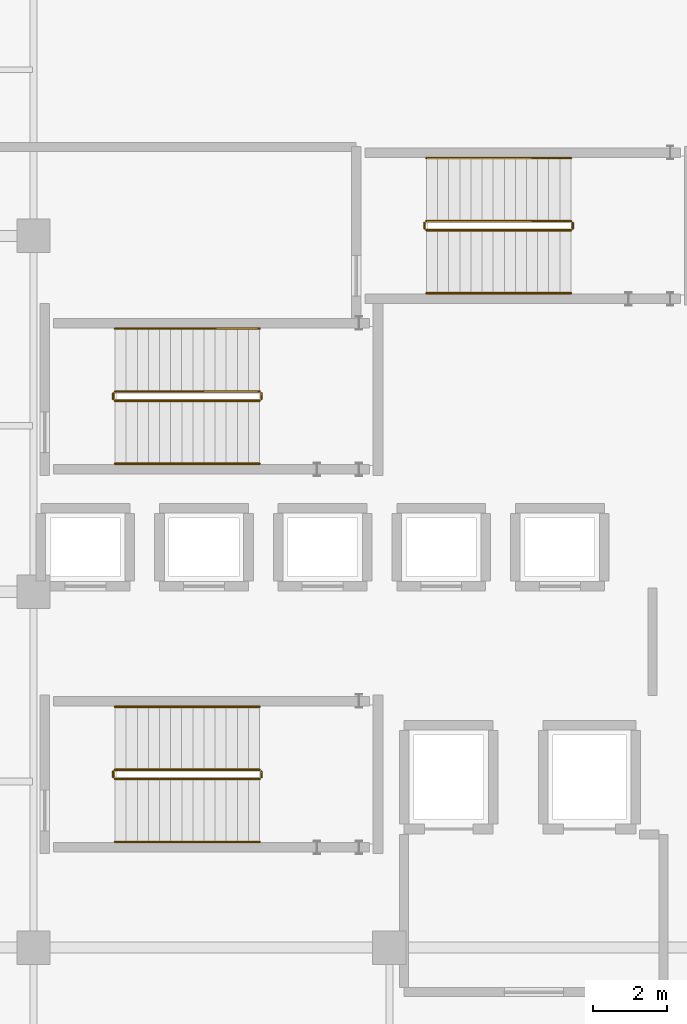
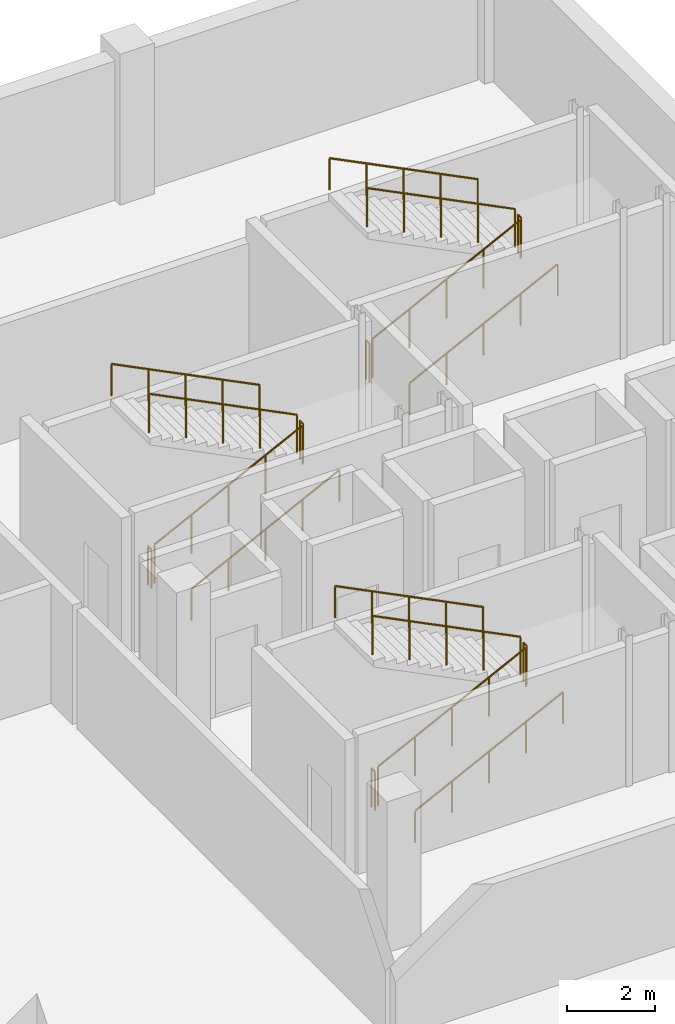
# One storey, part 47 of 47: 18 railings.
"""IFC4 building model written with IfcOpenShell, lengths in metres."""

import ifcopenshell
import ifcopenshell.guid

model = None  # the IFC model being written
_history = None  # IfcOwnerHistory: only IFC2X3 demands one
_inside = {}  # id of a spatial element -> (the spatial element, [elements in it])
_under = {}  # id of a project, library or spatial element -> (it, [spatial elements below it])
_declared = {}  # id of a project -> (the project, [libraries it declares])
_typed = {}  # id of a type object -> (the type object, [elements of that type])
_made_of = {}  # id of a material, layer set ... -> (it, [elements and type objects made of it])


def new_model(schema):
    """Start an empty IFC model of exactly this schema.

    Asked for "IFC4X3", IfcOpenShell would pick the latest addendum, in which some entities
    have other attributes; the version numbers below select the first issue.
    IFC2X3 requires an IfcOwnerHistory on every rooted entity: one is made here for all.
    """
    global model, _history
    if schema == "IFC4X3":
        model = ifcopenshell.file(schema_version=(4, 3, 0, 0))
    else:
        model = ifcopenshell.file(schema=schema)
    _inside.clear()
    _under.clear()
    _declared.clear()
    _typed.clear()
    _made_of.clear()
    _history = None
    if model.schema == "IFC2X3":
        org = make("IfcOrganization", Name="unknown")
        user = make(
            "IfcPersonAndOrganization",
            ThePerson=make("IfcPerson", FamilyName="unknown"),
            TheOrganization=org,
        )
        app = make(
            "IfcApplication",
            ApplicationDeveloper=org,
            Version="unknown",
            ApplicationFullName="unknown",
            ApplicationIdentifier="unknown",
        )
        _history = make(
            "IfcOwnerHistory",
            OwningUser=user,
            OwningApplication=app,
            ChangeAction="ADDED",
            CreationDate=0,
        )
    return model


def make(cls, **values):
    """One entity of the class cls with the attributes given. An attribute that is None is left unset."""
    return model.create_entity(
        cls, **{name: value for name, value in values.items() if value is not None}
    )


def rooted(cls, **values):
    """An entity with a GlobalId (a new one), such as an element, a storey or a relation."""
    return make(cls, GlobalId=ifcopenshell.guid.new(), OwnerHistory=_history, **values)


def si_unit(unit_type, name, prefix=None):
    """IfcSIUnit, for example si_unit("LENGTHUNIT", "METRE", prefix="MILLI")."""
    return make("IfcSIUnit", UnitType=unit_type, Prefix=prefix, Name=name)


def assignment(units):
    """IfcUnitAssignment: the units of a project."""
    return None if units is None else make("IfcUnitAssignment", Units=units)


def point(xyz):
    """IfcCartesianPoint."""
    return None if xyz is None else make("IfcCartesianPoint", Coordinates=xyz)


def direction(xyz):
    """IfcDirection."""
    return None if xyz is None else make("IfcDirection", DirectionRatios=xyz)


def frame(location, z_axis=None, x_axis=None):
    """IfcAxis2Placement3D, a coordinate frame: its origin and axes. An axis left out is left unset."""
    return make(
        "IfcAxis2Placement3D",
        Location=point(location),
        Axis=direction(z_axis),
        RefDirection=direction(x_axis),
    )


def frame_2d(location, x_axis=None):
    """IfcAxis2Placement2D, a coordinate frame in the plane: its origin and x axis."""
    return make(
        "IfcAxis2Placement2D", Location=point(location), RefDirection=direction(x_axis)
    )


def origin():
    """The frame at (0, 0, 0) with its axes left unset."""
    return frame((0.0, 0.0, 0.0))


def origin_2d():
    """The frame at (0, 0) in the plane with its x axis left unset."""
    return frame_2d((0.0, 0.0))


def place(relative_to, where):
    """IfcLocalPlacement: puts the frame where relative to a parent placement (None: the world)."""
    return make(
        "IfcLocalPlacement", PlacementRelTo=relative_to, RelativePlacement=where
    )


def context(
    kind, dimensions, precision=None, world=None, true_north=None, identifier=None
):
    """IfcGeometricRepresentationContext, for example the 3D "Model" context."""
    return make(
        "IfcGeometricRepresentationContext",
        ContextIdentifier=identifier,
        ContextType=kind,
        CoordinateSpaceDimension=dimensions,
        Precision=precision,
        WorldCoordinateSystem=world,
        TrueNorth=true_north,
    )


def subcontext(parent, identifier, kind, view, scale=None):
    """IfcGeometricRepresentationSubContext, for example "Body" below "Model"."""
    return make(
        "IfcGeometricRepresentationSubContext",
        ContextIdentifier=identifier,
        ContextType=kind,
        ParentContext=parent,
        TargetScale=scale,
        TargetView=view,
    )


def project(units=None, contexts=None):
    """IfcProject with its units and contexts."""
    return rooted(
        "IfcProject",
        Name="project",
        RepresentationContexts=contexts,
        UnitsInContext=assignment(units),
    )


def spatial(cls, under=None, at=None, **own):
    """A site, building, storey or space (cls), placed at a placement, below another one or the project."""
    s = rooted(cls, ObjectPlacement=at, **own)
    if under is not None:
        _under.setdefault(under.id(), (under, []))[1].append(s)
    return s


def profile(cls, at=None, kind="AREA", **sizes):
    """A parametric profile (cls). Its sizes go by their IFC names, for example OverallWidth=200.0."""
    return make(cls, ProfileType=kind, Position=at, **sizes)


def circle(**sizes):
    """IfcCircleProfileDef."""
    return profile("IfcCircleProfileDef", **sizes)


def extrude(swept, where, along, depth):
    """IfcExtrudedAreaSolid: the profile swept, set in the frame where, extruded along a direction by depth."""
    return make(
        "IfcExtrudedAreaSolid",
        SweptArea=swept,
        Position=where,
        ExtrudedDirection=direction(along),
        Depth=depth,
    )


def shape(context_of_items, identifier, shape_type, items):
    """IfcShapeRepresentation: the items that make up one representation, for example the "Body"."""
    return make(
        "IfcShapeRepresentation",
        ContextOfItems=context_of_items,
        RepresentationIdentifier=identifier,
        RepresentationType=shape_type,
        Items=items,
    )


def material(Name=None, Category=None):
    """IfcMaterial."""
    return make("IfcMaterial", Name=Name, Category=Category)


def made_of(thing, what):
    """Note that an element or type object is made of a material, layer set ...; save() writes the relation."""
    if what is not None:
        _made_of.setdefault(what.id(), (what, []))[1].append(thing)
    return thing


def type_object(cls, material=None, **own):
    """A type object (cls), such as IfcWallType, which elements share."""
    return made_of(rooted(cls, **own), material)


def element(
    cls,
    number,
    at=None,
    inside=None,
    cuts=None,
    type_object=None,
    material=None,
    context=None,
    identifier="Body",
    shape_type=None,
    held_by="IfcProductDefinitionShape",
    body=None,
    shapes=None,
    **own,
):
    """One element of the class cls, such as IfcWall. Its Tag is "e" and its number.

    at: its placement. inside: the storey or other place that contains it. cuts: it is an
    opening in that element (IfcRelVoidsElement). A single representation is given by context,
    identifier, shape_type and body (its items); several are given by shapes. held_by: the class
    of the entity that holds the representations. save() writes the other relations.
    """
    e = rooted(cls, Tag="e%d" % number, ObjectPlacement=at, **own)
    if body is not None:
        shapes = [shape(context, identifier, shape_type, body)]
    if shapes is not None:
        e.Representation = make(held_by, Representations=shapes)
    if inside is not None:
        _inside.setdefault(inside.id(), (inside, []))[1].append(e)
    if cuts is not None:
        rooted(
            "IfcRelVoidsElement", RelatingBuildingElement=cuts, RelatedOpeningElement=e
        )
    if type_object is not None:
        _typed.setdefault(type_object.id(), (type_object, []))[1].append(e)
    return made_of(e, material)


def aggregate(whole, parts):
    """IfcRelAggregates: a whole, such as a stair, and the parts it consists of."""
    return rooted("IfcRelAggregates", RelatingObject=whole, RelatedObjects=parts)


def save(model, path):
    """Write the relations noted so far, then the file.

    IfcRelAggregates (storeys below a building ...), IfcRelContainedInSpatialStructure (elements
    in a storey), IfcRelDefinesByType, IfcRelAssociatesMaterial and IfcRelDeclares: one each for
    every whole, place, type object, material and project.
    """
    for whole, parts in _under.values():
        aggregate(whole, parts)
    for where, things in _inside.values():
        rooted(
            "IfcRelContainedInSpatialStructure",
            RelatedElements=things,
            RelatingStructure=where,
        )
    for kind, things in _typed.values():
        rooted("IfcRelDefinesByType", RelatedObjects=things, RelatingType=kind)
    for what, things in _made_of.values():
        rooted("IfcRelAssociatesMaterial", RelatedObjects=things, RelatingMaterial=what)
    for by, libraries in _declared.values():
        rooted("IfcRelDeclares", RelatingContext=by, RelatedDefinitions=libraries)
    model.write(path)


model = new_model("IFC4")

# Units and contexts
model_context = context("Model", 3, precision=1e-05, world=origin(), true_north=direction((0.0, 1.0)))
body_context = subcontext(model_context, "Body", "Model", "MODEL_VIEW")
ifc_project = project(units=[si_unit("LENGTHUNIT", "METRE"), si_unit("AREAUNIT", "SQUARE_METRE"), si_unit("VOLUMEUNIT", "CUBIC_METRE"), si_unit("PLANEANGLEUNIT", "RADIAN"), si_unit("MASSUNIT", "GRAM", prefix="KILO")], contexts=[model_context])

# Site, building, storey
site_placement = place(None, origin())
site = spatial("IfcSite", under=ifc_project, at=site_placement, CompositionType="ELEMENT")
building_placement = place(site_placement, origin())
building = spatial("IfcBuilding", under=site, at=building_placement, Name="Zevrakil Square Congress Hotel", CompositionType="ELEMENT")
storey_placement = place(building_placement, frame((0.0, 0.0, -4.199951171875)))
storey = spatial("IfcBuildingStorey", under=building, at=storey_placement, Name="B1", CompositionType="ELEMENT", Elevation=-4.199951171875)

# Railings
ifc_material_1 = material(Name="Steel S355", Category="steel")
railing_type_1 = type_object("IfcRailingType", Name="RLG-STAIR-GUARD-1100", PredefinedType="BALUSTRADE", material=ifc_material_1)
railing_1_placement = place(storey_placement, frame((139.0, 21.35009765625, 0.14990234375)))
element("IfcRailing", 1, at=railing_1_placement, inside=storey, type_object=railing_type_1, Name="B1 ST01 stair guard 1", PredefinedType="BALUSTRADE", context=body_context, shape_type="SweptSolid", body=[
    extrude(circle(Radius=0.02392578125, at=origin_2d()), frame((0.0, 0.0, 1.076171875), z_axis=(0.894427191, 0.0, 0.4472135955), x_axis=(0.0, 1.0, 0.0)), (0.0, 0.0, 1.0), 4.360107421875),
    extrude(circle(Radius=0.02099609375, at=origin_2d()), origin(), (0.0, 0.0, 1.0), 1.052001953125),
    extrude(circle(Radius=0.02099609375, at=origin_2d()), frame((0.97509765625, 0.0, 0.487548828125)), (0.0, 0.0, 1.0), 1.052001953125),
    extrude(circle(Radius=0.02099609375, at=origin_2d()), frame((1.949951171875, 0.0, 0.97509765625)), (0.0, 0.0, 1.0), 1.052001953125),
    extrude(circle(Radius=0.02099609375, at=origin_2d()), frame((2.9248046875, 0.0, 1.46240234375)), (0.0, 0.0, 1.0), 1.052001953125),
    extrude(circle(Radius=0.02099609375, at=origin_2d()), frame((3.89990234375, 0.0, 1.949951171875)), (0.0, 0.0, 1.0), 1.052001953125),
])
railing_2_placement = place(storey_placement, frame((142.949951171875, 21.39990234375, 2.099853515625)))
element("IfcRailing", 2, at=railing_2_placement, inside=storey, type_object=railing_type_1, Name="B1 ST01 stair guard 2", PredefinedType="BALUSTRADE", context=body_context, shape_type="SweptSolid", body=[
    extrude(circle(Radius=0.02392578125, at=origin_2d()), frame((0.0, 0.0, 1.076171875), z_axis=(0.0, 1.0, 0.0), x_axis=(-1.0, 0.0, 0.0)), (0.0, 0.0, 1.0), 0.150146484375),
    extrude(circle(Radius=0.02099609375, at=origin_2d()), origin(), (0.0, 0.0, 1.0), 1.052001953125),
    extrude(circle(Radius=0.02099609375, at=origin_2d()), frame((0.0, 0.150146484375, 0.0)), (0.0, 0.0, 1.0), 1.052001953125),
])
railing_3_placement = place(storey_placement, frame((142.89990234375, 21.60009765625, 2.25)))
element("IfcRailing", 3, at=railing_3_placement, inside=storey, type_object=railing_type_1, Name="B1 ST01 stair guard 3", PredefinedType="BALUSTRADE", context=body_context, shape_type="SweptSolid", body=[
    extrude(circle(Radius=0.02392578125, at=origin_2d()), frame((0.0, 0.0, 1.076171875), z_axis=(-0.894427191, 0.0, 0.4472135955), x_axis=(0.0, -1.0, 0.0)), (0.0, 0.0, 1.0), 4.360107421875),
    extrude(circle(Radius=0.02099609375, at=origin_2d()), origin(), (0.0, 0.0, 1.0), 1.052001953125),
    extrude(circle(Radius=0.02099609375, at=origin_2d()), frame((-0.97509765625, 0.0, 0.487548828125)), (0.0, 0.0, 1.0), 1.052001953125),
    extrude(circle(Radius=0.02099609375, at=origin_2d()), frame((-1.949951171875, 0.0, 0.97509765625)), (0.0, 0.0, 1.0), 1.052001953125),
    extrude(circle(Radius=0.02099609375, at=origin_2d()), frame((-2.9248046875, 0.0, 1.46240234375)), (0.0, 0.0, 1.0), 1.052001953125),
    extrude(circle(Radius=0.02099609375, at=origin_2d()), frame((-3.89990234375, 0.0, 1.949951171875)), (0.0, 0.0, 1.0), 1.052001953125),
])
railing_4_placement = place(storey_placement, frame((138.949951171875, 21.39990234375, 0.0)))
element("IfcRailing", 4, at=railing_4_placement, inside=storey, type_object=railing_type_1, Name="B1 ST01 stair guard 4", PredefinedType="BALUSTRADE", context=body_context, shape_type="SweptSolid", body=[
    extrude(circle(Radius=0.02392578125, at=origin_2d()), frame((0.0, 0.0, 1.076171875), z_axis=(0.0, 1.0, 0.0), x_axis=(-1.0, 0.0, 0.0)), (0.0, 0.0, 1.0), 0.150146484375),
    extrude(circle(Radius=0.02099609375, at=origin_2d()), origin(), (0.0, 0.0, 1.0), 1.052001953125),
    extrude(circle(Radius=0.02099609375, at=origin_2d()), frame((0.0, 0.150146484375, 0.0)), (0.0, 0.0, 1.0), 1.052001953125),
])
railing_5_placement = place(storey_placement, frame((139.0, 31.550048828125, 0.14990234375)))
element("IfcRailing", 5, at=railing_5_placement, inside=storey, type_object=railing_type_1, Name="B1 ST02 stair guard 1", PredefinedType="BALUSTRADE", context=body_context, shape_type="SweptSolid", body=[
    extrude(circle(Radius=0.02392578125, at=origin_2d()), frame((0.0, 0.0, 1.076171875), z_axis=(0.894427191, 0.0, 0.4472135955), x_axis=(0.0, 1.0, 0.0)), (0.0, 0.0, 1.0), 4.360107421875),
    extrude(circle(Radius=0.02099609375, at=origin_2d()), origin(), (0.0, 0.0, 1.0), 1.052001953125),
    extrude(circle(Radius=0.02099609375, at=origin_2d()), frame((0.97509765625, 0.0, 0.487548828125)), (0.0, 0.0, 1.0), 1.052001953125),
    extrude(circle(Radius=0.02099609375, at=origin_2d()), frame((1.949951171875, 0.0, 0.97509765625)), (0.0, 0.0, 1.0), 1.052001953125),
    extrude(circle(Radius=0.02099609375, at=origin_2d()), frame((2.9248046875, 0.0, 1.46240234375)), (0.0, 0.0, 1.0), 1.052001953125),
    extrude(circle(Radius=0.02099609375, at=origin_2d()), frame((3.89990234375, 0.0, 1.949951171875)), (0.0, 0.0, 1.0), 1.052001953125),
])
railing_6_placement = place(storey_placement, frame((142.949951171875, 31.60009765625, 2.099853515625)))
element("IfcRailing", 6, at=railing_6_placement, inside=storey, type_object=railing_type_1, Name="B1 ST02 stair guard 2", PredefinedType="BALUSTRADE", context=body_context, shape_type="SweptSolid", body=[
    extrude(circle(Radius=0.02392578125, at=origin_2d()), frame((0.0, 0.0, 1.076171875), z_axis=(0.0, 1.0, 0.0), x_axis=(-1.0, 0.0, 0.0)), (0.0, 0.0, 1.0), 0.14990234375),
    extrude(circle(Radius=0.02099609375, at=origin_2d()), origin(), (0.0, 0.0, 1.0), 1.052001953125),
    extrude(circle(Radius=0.02099609375, at=origin_2d()), frame((0.0, 0.14990234375, 0.0)), (0.0, 0.0, 1.0), 1.052001953125),
])
railing_7_placement = place(storey_placement, frame((142.89990234375, 31.800048828125, 2.25)))
element("IfcRailing", 7, at=railing_7_placement, inside=storey, type_object=railing_type_1, Name="B1 ST02 stair guard 3", PredefinedType="BALUSTRADE", context=body_context, shape_type="SweptSolid", body=[
    extrude(circle(Radius=0.02392578125, at=origin_2d()), frame((0.0, 0.0, 1.076171875), z_axis=(-0.894427191, 0.0, 0.4472135955), x_axis=(0.0, -1.0, 0.0)), (0.0, 0.0, 1.0), 4.360107421875),
    extrude(circle(Radius=0.02099609375, at=origin_2d()), origin(), (0.0, 0.0, 1.0), 1.052001953125),
    extrude(circle(Radius=0.02099609375, at=origin_2d()), frame((-0.97509765625, 0.0, 0.487548828125)), (0.0, 0.0, 1.0), 1.052001953125),
    extrude(circle(Radius=0.02099609375, at=origin_2d()), frame((-1.949951171875, 0.0, 0.97509765625)), (0.0, 0.0, 1.0), 1.052001953125),
    extrude(circle(Radius=0.02099609375, at=origin_2d()), frame((-2.9248046875, 0.0, 1.46240234375)), (0.0, 0.0, 1.0), 1.052001953125),
    extrude(circle(Radius=0.02099609375, at=origin_2d()), frame((-3.89990234375, 0.0, 1.949951171875)), (0.0, 0.0, 1.0), 1.052001953125),
])
railing_8_placement = place(storey_placement, frame((138.949951171875, 31.60009765625, 0.0)))
element("IfcRailing", 8, at=railing_8_placement, inside=storey, type_object=railing_type_1, Name="B1 ST02 stair guard 4", PredefinedType="BALUSTRADE", context=body_context, shape_type="SweptSolid", body=[
    extrude(circle(Radius=0.02392578125, at=origin_2d()), frame((0.0, 0.0, 1.076171875), z_axis=(0.0, 1.0, 0.0), x_axis=(-1.0, 0.0, 0.0)), (0.0, 0.0, 1.0), 0.14990234375),
    extrude(circle(Radius=0.02099609375, at=origin_2d()), origin(), (0.0, 0.0, 1.0), 1.052001953125),
    extrude(circle(Radius=0.02099609375, at=origin_2d()), frame((0.0, 0.14990234375, 0.0)), (0.0, 0.0, 1.0), 1.052001953125),
])
railing_9_placement = place(storey_placement, frame((147.39990234375, 36.14990234375, 0.14990234375)))
element("IfcRailing", 9, at=railing_9_placement, inside=storey, type_object=railing_type_1, Name="B1 ST03 stair guard 1", PredefinedType="BALUSTRADE", context=body_context, shape_type="SweptSolid", body=[
    extrude(circle(Radius=0.02392578125, at=origin_2d()), frame((0.0, 0.0, 1.076171875), z_axis=(0.894438388696, 0.0, 0.447191199406), x_axis=(0.0, 1.0, 0.0)), (0.0, 0.0, 1.0), 4.3603515625),
    extrude(circle(Radius=0.02099609375, at=origin_2d()), origin(), (0.0, 0.0, 1.0), 1.052001953125),
    extrude(circle(Radius=0.02099609375, at=origin_2d()), frame((0.97509765625, 0.0, 0.487548828125)), (0.0, 0.0, 1.0), 1.052001953125),
    extrude(circle(Radius=0.02099609375, at=origin_2d()), frame((1.9501953125, 0.0, 0.97509765625)), (0.0, 0.0, 1.0), 1.052001953125),
    extrude(circle(Radius=0.02099609375, at=origin_2d()), frame((2.925048828125, 0.0, 1.46240234375)), (0.0, 0.0, 1.0), 1.052001953125),
    extrude(circle(Radius=0.02099609375, at=origin_2d()), frame((3.900146484375, 0.0, 1.949951171875)), (0.0, 0.0, 1.0), 1.052001953125),
])
railing_10_placement = place(storey_placement, frame((151.35009765625, 36.199951171875, 2.099853515625)))
element("IfcRailing", 10, at=railing_10_placement, inside=storey, type_object=railing_type_1, Name="B1 ST03 stair guard 2", PredefinedType="BALUSTRADE", context=body_context, shape_type="SweptSolid", body=[
    extrude(circle(Radius=0.02392578125, at=origin_2d()), frame((0.0, 0.0, 1.076171875), z_axis=(0.0, 1.0, 0.0), x_axis=(-1.0, 0.0, 0.0)), (0.0, 0.0, 1.0), 0.150146484375),
    extrude(circle(Radius=0.02099609375, at=origin_2d()), origin(), (0.0, 0.0, 1.0), 1.052001953125),
    extrude(circle(Radius=0.02099609375, at=origin_2d()), frame((0.0, 0.150146484375, 0.0)), (0.0, 0.0, 1.0), 1.052001953125),
])
railing_11_placement = place(storey_placement, frame((151.300048828125, 36.39990234375, 2.25)))
element("IfcRailing", 11, at=railing_11_placement, inside=storey, type_object=railing_type_1, Name="B1 ST03 stair guard 3", PredefinedType="BALUSTRADE", context=body_context, shape_type="SweptSolid", body=[
    extrude(circle(Radius=0.02392578125, at=origin_2d()), frame((0.0, 0.0, 1.076171875), z_axis=(-0.894438388696, 0.0, 0.447191199406), x_axis=(0.0, -1.0, 0.0)), (0.0, 0.0, 1.0), 4.3603515625),
    extrude(circle(Radius=0.02099609375, at=origin_2d()), origin(), (0.0, 0.0, 1.0), 1.052001953125),
    extrude(circle(Radius=0.02099609375, at=origin_2d()), frame((-0.97509765625, 0.0, 0.487548828125)), (0.0, 0.0, 1.0), 1.052001953125),
    extrude(circle(Radius=0.02099609375, at=origin_2d()), frame((-1.9501953125, 0.0, 0.97509765625)), (0.0, 0.0, 1.0), 1.052001953125),
    extrude(circle(Radius=0.02099609375, at=origin_2d()), frame((-2.925048828125, 0.0, 1.46240234375)), (0.0, 0.0, 1.0), 1.052001953125),
    extrude(circle(Radius=0.02099609375, at=origin_2d()), frame((-3.900146484375, 0.0, 1.949951171875)), (0.0, 0.0, 1.0), 1.052001953125),
])
railing_12_placement = place(storey_placement, frame((147.35009765625, 36.199951171875, 0.0)))
element("IfcRailing", 12, at=railing_12_placement, inside=storey, type_object=railing_type_1, Name="B1 ST03 stair guard 4", PredefinedType="BALUSTRADE", context=body_context, shape_type="SweptSolid", body=[
    extrude(circle(Radius=0.02392578125, at=origin_2d()), frame((0.0, 0.0, 1.076171875), z_axis=(0.0, 1.0, 0.0), x_axis=(-1.0, 0.0, 0.0)), (0.0, 0.0, 1.0), 0.150146484375),
    extrude(circle(Radius=0.02099609375, at=origin_2d()), origin(), (0.0, 0.0, 1.0), 1.052001953125),
    extrude(circle(Radius=0.02099609375, at=origin_2d()), frame((0.0, 0.150146484375, 0.0)), (0.0, 0.0, 1.0), 1.052001953125),
])
ifc_material_2 = material(Name="Steel S355", Category="steel")
railing_type_2 = type_object("IfcRailingType", Name="RLG-STAIR-HAND-900", PredefinedType="HANDRAIL", material=ifc_material_2)
railing_13_placement = place(storey_placement, frame((139.0, 19.64990234375, 0.14990234375)))
element("IfcRailing", 13, at=railing_13_placement, inside=storey, type_object=railing_type_2, Name="B1 ST01 stair handrail 1", PredefinedType="HANDRAIL", context=body_context, shape_type="SweptSolid", body=[
    extrude(circle(Radius=0.02392578125, at=origin_2d()), frame((0.0, 0.0, 0.8759765625), z_axis=(0.894427191, 0.0, 0.4472135955), x_axis=(0.0, 1.0, 0.0)), (0.0, 0.0, 1.0), 4.360107421875),
    extrude(circle(Radius=0.02099609375, at=origin_2d()), origin(), (0.0, 0.0, 1.0), 0.851806640625),
    extrude(circle(Radius=0.02099609375, at=origin_2d()), frame((0.97509765625, 0.0, 0.487548828125)), (0.0, 0.0, 1.0), 0.851806640625),
    extrude(circle(Radius=0.02099609375, at=origin_2d()), frame((1.949951171875, 0.0, 0.97509765625)), (0.0, 0.0, 1.0), 0.851806640625),
    extrude(circle(Radius=0.02099609375, at=origin_2d()), frame((2.9248046875, 0.0, 1.46240234375)), (0.0, 0.0, 1.0), 0.851806640625),
    extrude(circle(Radius=0.02099609375, at=origin_2d()), frame((3.89990234375, 0.0, 1.949951171875)), (0.0, 0.0, 1.0), 0.851806640625),
])
railing_14_placement = place(storey_placement, frame((142.89990234375, 23.300048828125, 2.25)))
element("IfcRailing", 14, at=railing_14_placement, inside=storey, type_object=railing_type_2, Name="B1 ST01 stair handrail 2", PredefinedType="HANDRAIL", context=body_context, shape_type="SweptSolid", body=[
    extrude(circle(Radius=0.02392578125, at=origin_2d()), frame((0.0, 0.0, 0.8759765625), z_axis=(-0.894427191, 0.0, 0.4472135955), x_axis=(0.0, -1.0, 0.0)), (0.0, 0.0, 1.0), 4.360107421875),
    extrude(circle(Radius=0.02099609375, at=origin_2d()), origin(), (0.0, 0.0, 1.0), 0.851806640625),
    extrude(circle(Radius=0.02099609375, at=origin_2d()), frame((-0.97509765625, 0.0, 0.487548828125)), (0.0, 0.0, 1.0), 0.851806640625),
    extrude(circle(Radius=0.02099609375, at=origin_2d()), frame((-1.949951171875, 0.0, 0.97509765625)), (0.0, 0.0, 1.0), 0.851806640625),
    extrude(circle(Radius=0.02099609375, at=origin_2d()), frame((-2.9248046875, 0.0, 1.46240234375)), (0.0, 0.0, 1.0), 0.851806640625),
    extrude(circle(Radius=0.02099609375, at=origin_2d()), frame((-3.89990234375, 0.0, 1.949951171875)), (0.0, 0.0, 1.0), 0.851806640625),
])
railing_15_placement = place(storey_placement, frame((139.0, 29.85009765625, 0.14990234375)))
element("IfcRailing", 15, at=railing_15_placement, inside=storey, type_object=railing_type_2, Name="B1 ST02 stair handrail 1", PredefinedType="HANDRAIL", context=body_context, shape_type="SweptSolid", body=[
    extrude(circle(Radius=0.02392578125, at=origin_2d()), frame((0.0, 0.0, 0.8759765625), z_axis=(0.894427191, 0.0, 0.4472135955), x_axis=(0.0, 1.0, 0.0)), (0.0, 0.0, 1.0), 4.360107421875),
    extrude(circle(Radius=0.02099609375, at=origin_2d()), origin(), (0.0, 0.0, 1.0), 0.851806640625),
    extrude(circle(Radius=0.02099609375, at=origin_2d()), frame((0.97509765625, 0.0, 0.487548828125)), (0.0, 0.0, 1.0), 0.851806640625),
    extrude(circle(Radius=0.02099609375, at=origin_2d()), frame((1.949951171875, 0.0, 0.97509765625)), (0.0, 0.0, 1.0), 0.851806640625),
    extrude(circle(Radius=0.02099609375, at=origin_2d()), frame((2.9248046875, 0.0, 1.46240234375)), (0.0, 0.0, 1.0), 0.851806640625),
    extrude(circle(Radius=0.02099609375, at=origin_2d()), frame((3.89990234375, 0.0, 1.949951171875)), (0.0, 0.0, 1.0), 0.851806640625),
])
railing_16_placement = place(storey_placement, frame((142.89990234375, 33.5, 2.25)))
element("IfcRailing", 16, at=railing_16_placement, inside=storey, type_object=railing_type_2, Name="B1 ST02 stair handrail 2", PredefinedType="HANDRAIL", context=body_context, shape_type="SweptSolid", body=[
    extrude(circle(Radius=0.02392578125, at=origin_2d()), frame((0.0, 0.0, 0.8759765625), z_axis=(-0.894427191, 0.0, 0.4472135955), x_axis=(0.0, -1.0, 0.0)), (0.0, 0.0, 1.0), 4.360107421875),
    extrude(circle(Radius=0.02099609375, at=origin_2d()), origin(), (0.0, 0.0, 1.0), 0.851806640625),
    extrude(circle(Radius=0.02099609375, at=origin_2d()), frame((-0.97509765625, 0.0, 0.487548828125)), (0.0, 0.0, 1.0), 0.851806640625),
    extrude(circle(Radius=0.02099609375, at=origin_2d()), frame((-1.949951171875, 0.0, 0.97509765625)), (0.0, 0.0, 1.0), 0.851806640625),
    extrude(circle(Radius=0.02099609375, at=origin_2d()), frame((-2.9248046875, 0.0, 1.46240234375)), (0.0, 0.0, 1.0), 0.851806640625),
    extrude(circle(Radius=0.02099609375, at=origin_2d()), frame((-3.89990234375, 0.0, 1.949951171875)), (0.0, 0.0, 1.0), 0.851806640625),
])
railing_17_placement = place(storey_placement, frame((147.39990234375, 34.449951171875, 0.14990234375)))
element("IfcRailing", 17, at=railing_17_placement, inside=storey, type_object=railing_type_2, Name="B1 ST03 stair handrail 1", PredefinedType="HANDRAIL", context=body_context, shape_type="SweptSolid", body=[
    extrude(circle(Radius=0.02392578125, at=origin_2d()), frame((0.0, 0.0, 0.8759765625), z_axis=(0.894438388696, 0.0, 0.447191199406), x_axis=(0.0, 1.0, 0.0)), (0.0, 0.0, 1.0), 4.3603515625),
    extrude(circle(Radius=0.02099609375, at=origin_2d()), origin(), (0.0, 0.0, 1.0), 0.851806640625),
    extrude(circle(Radius=0.02099609375, at=origin_2d()), frame((0.97509765625, 0.0, 0.487548828125)), (0.0, 0.0, 1.0), 0.851806640625),
    extrude(circle(Radius=0.02099609375, at=origin_2d()), frame((1.9501953125, 0.0, 0.97509765625)), (0.0, 0.0, 1.0), 0.851806640625),
    extrude(circle(Radius=0.02099609375, at=origin_2d()), frame((2.925048828125, 0.0, 1.46240234375)), (0.0, 0.0, 1.0), 0.851806640625),
    extrude(circle(Radius=0.02099609375, at=origin_2d()), frame((3.900146484375, 0.0, 1.949951171875)), (0.0, 0.0, 1.0), 0.851806640625),
])
railing_18_placement = place(storey_placement, frame((151.300048828125, 38.10009765625, 2.25)))
element("IfcRailing", 18, at=railing_18_placement, inside=storey, type_object=railing_type_2, Name="B1 ST03 stair handrail 2", PredefinedType="HANDRAIL", context=body_context, shape_type="SweptSolid", body=[
    extrude(circle(Radius=0.02392578125, at=origin_2d()), frame((0.0, 0.0, 0.8759765625), z_axis=(-0.894438388696, 0.0, 0.447191199406), x_axis=(0.0, -1.0, 0.0)), (0.0, 0.0, 1.0), 4.3603515625),
    extrude(circle(Radius=0.02099609375, at=origin_2d()), origin(), (0.0, 0.0, 1.0), 0.851806640625),
    extrude(circle(Radius=0.02099609375, at=origin_2d()), frame((-0.97509765625, 0.0, 0.487548828125)), (0.0, 0.0, 1.0), 0.851806640625),
    extrude(circle(Radius=0.02099609375, at=origin_2d()), frame((-1.9501953125, 0.0, 0.97509765625)), (0.0, 0.0, 1.0), 0.851806640625),
    extrude(circle(Radius=0.02099609375, at=origin_2d()), frame((-2.925048828125, 0.0, 1.46240234375)), (0.0, 0.0, 1.0), 0.851806640625),
    extrude(circle(Radius=0.02099609375, at=origin_2d()), frame((-3.900146484375, 0.0, 1.949951171875)), (0.0, 0.0, 1.0), 0.851806640625),
])

save(model, "model.ifc")
